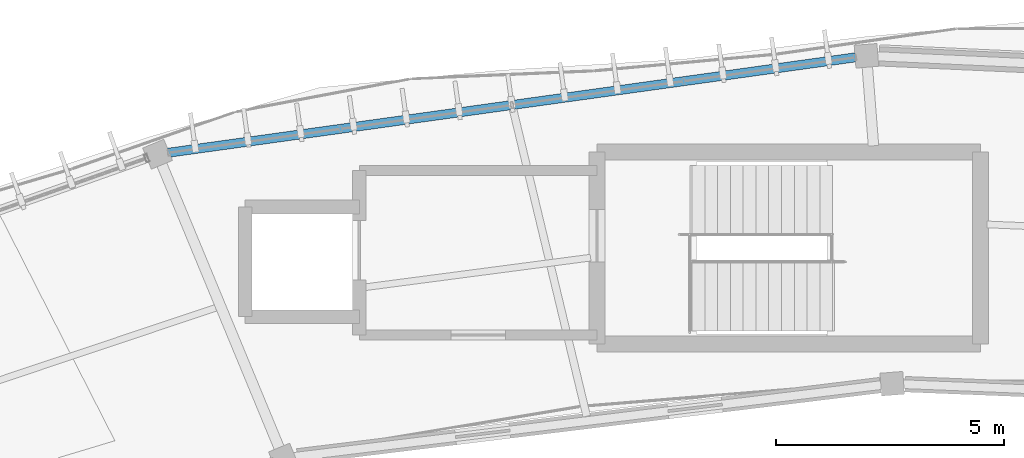
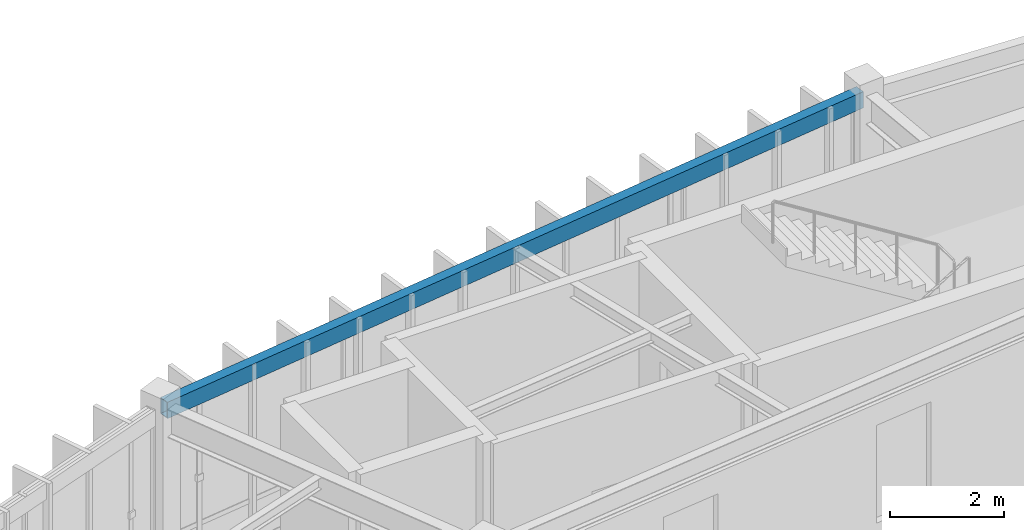
# One storey, part 37 of 78: 1 beam.
"""IFC4 building model written with IfcOpenShell, lengths in metres."""

from ifc_helpers import new_model, si_unit, direction, frame, origin, origin_2d, place, context, subcontext, project, spatial, hollow_rectangle, extrude, material, material_profile, profile_set, type_object, element, save


model = new_model("IFC4")

# Units and contexts
model_context = context("Model", 3, precision=1e-05, world=origin(), true_north=direction((0.0, 1.0)))
body_context = subcontext(model_context, "Body", "Model", "MODEL_VIEW")
ifc_project = project(units=[si_unit("LENGTHUNIT", "METRE"), si_unit("AREAUNIT", "SQUARE_METRE"), si_unit("VOLUMEUNIT", "CUBIC_METRE"), si_unit("PLANEANGLEUNIT", "RADIAN"), si_unit("MASSUNIT", "GRAM", prefix="KILO"), si_unit("THERMODYNAMICTEMPERATUREUNIT", "KELVIN"), si_unit("POWERUNIT", "WATT")], contexts=[model_context])

# Site, building, storey
site_placement = place(None, origin())
site = spatial("IfcSite", under=ifc_project, at=site_placement, CompositionType="ELEMENT")
building_placement = place(site_placement, origin())
building = spatial("IfcBuilding", under=site, at=building_placement, Name="Darbajah Civic Hall", CompositionType="ELEMENT")
storey_placement = place(building_placement, frame((0.0, 0.0, 26.39990234375)))
storey = spatial("IfcBuildingStorey", under=building, at=storey_placement, Name="L06", CompositionType="ELEMENT", Elevation=26.39990234375)

# Beam
ifc_material = material(Name="Steel S355JR", Category="steel")
ifc_material_profile = material_profile(ifc_material, hollow_rectangle(XDim=0.199951171875, YDim=0.35009765625, WallThickness=0.012451171875, at=origin_2d()), Name="RHS 350x200x12.5")
ifc_profile_set = profile_set([ifc_material_profile], Name="Steel S355JR")
beam_type = type_object("IfcBeamType", Name="RHS 350x200x12.5", PredefinedType="SPANDREL", material=ifc_profile_set)
beam_placement = place(storey_placement, frame((85.019287109375, 119.197998046875, 3.7451171875), z_axis=(-0.990495253006, -0.137546914804, 0.0), x_axis=(0.137546914804, -0.990495253006, 0.0)))
element("IfcBeam", 1, at=beam_placement, inside=storey, type_object=beam_type, Name="L06 beam SP-RHS350", PredefinedType="SPANDREL", context=body_context, shape_type="SweptSolid", body=[
    extrude(hollow_rectangle(XDim=0.199951171875, YDim=0.35009765625, WallThickness=0.012451171875, at=origin_2d()), origin(), (0.0, 0.0, 1.0), 15.50439453125),
])

save(model, "model.ifc")
